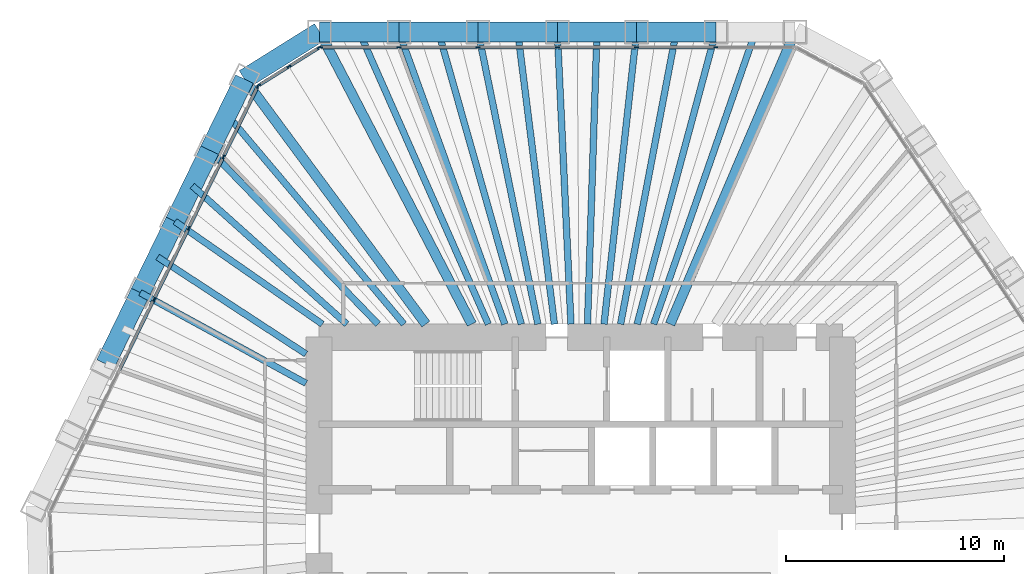
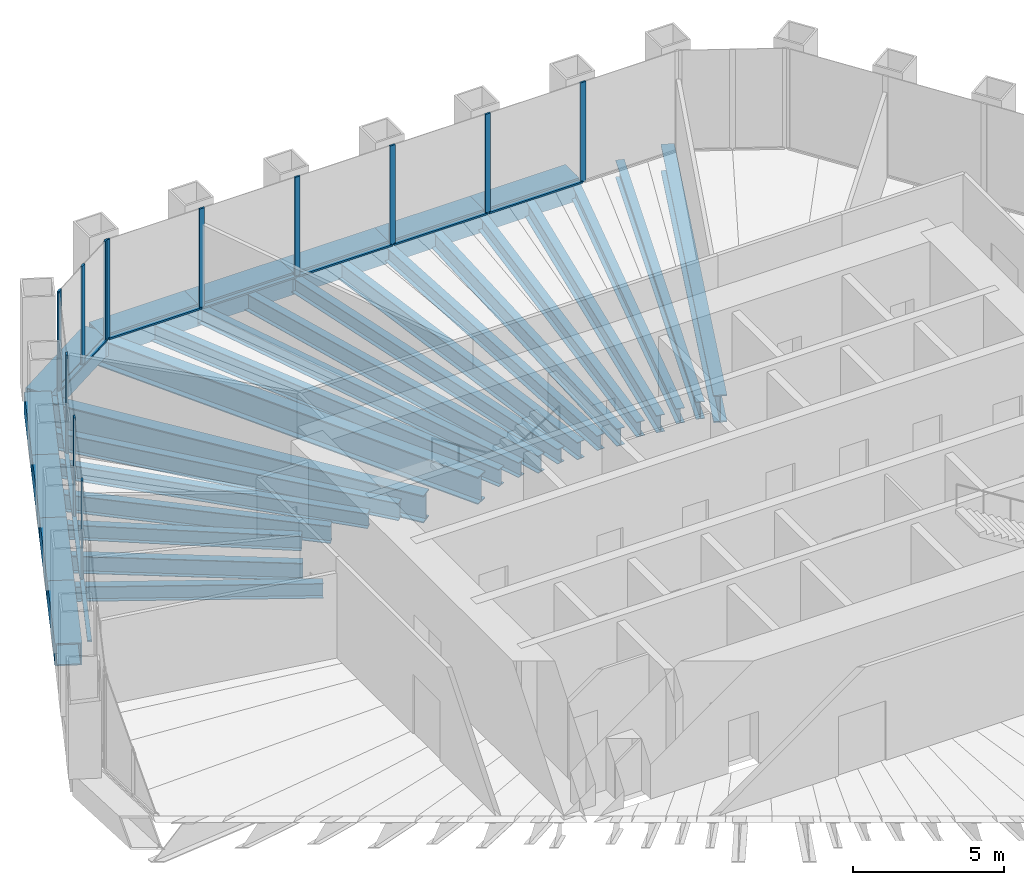
# One storey, part 6 of 13: 30 beams, 24 members, 3 elements without a shape of their own.
"""IFC4 building model written with IfcOpenShell, lengths in metres."""

from ifc_helpers import new_model, si_unit, direction, frame, origin, origin_2d, place, context, subcontext, project, spatial, rectangle, hollow_rectangle, i_section, extrude, material, material_profile, profile_set, type_object, element, aggregate, save


model = new_model("IFC4")

# Units and contexts
model_context = context("Model", 3, precision=1e-05, world=origin(), true_north=direction((0.0, 1.0)))
body_context = subcontext(model_context, "Body", "Model", "MODEL_VIEW")
ifc_project = project(units=[si_unit("LENGTHUNIT", "METRE"), si_unit("AREAUNIT", "SQUARE_METRE"), si_unit("VOLUMEUNIT", "CUBIC_METRE"), si_unit("PLANEANGLEUNIT", "RADIAN"), si_unit("MASSUNIT", "GRAM", prefix="KILO")], contexts=[model_context])

# Site, building, storey
site_placement = place(None, origin())
site = spatial("IfcSite", under=ifc_project, at=site_placement, CompositionType="ELEMENT")
building_placement = place(site_placement, origin())
building = spatial("IfcBuilding", under=site, at=building_placement, Name="Qingtian Harvest Tower", CompositionType="ELEMENT")
storey_placement = place(building_placement, frame((0.0, 0.0, 193.0)))
storey = spatial("IfcBuildingStorey", under=building, at=storey_placement, Name="L41", CompositionType="ELEMENT", Elevation=193.0)

# Beams
ifc_material_1 = material(Name="Steel SM570MC", Category="steel")
ifc_material_profile_1 = material_profile(ifc_material_1, i_section(OverallWidth=0.449951171875, OverallDepth=1.10009765625, WebThickness=0.02197265625, FlangeThickness=0.044921875, at=origin_2d()), Name="H1100x450x22x45")
ifc_profile_set_1 = profile_set([ifc_material_profile_1], Name="Steel SM570MC")
beam_type_1 = type_object("IfcBeamType", Name="Corner floor beam FB8 H1100x450x22x45", PredefinedType="BEAM", material=ifc_profile_set_1)
beam_1_placement = place(storey_placement, frame((-11.971923828125, 23.0, -0.719970703125), z_axis=(0.461712460868, -0.887029651973, 0.0), x_axis=(0.887029651973, 0.461712460868, 0.0)))
element("IfcBeam", 1, at=beam_1_placement, inside=storey, type_object=beam_type_1, Name="Floor beam FB8 N0", PredefinedType="BEAM", context=body_context, shape_type="SweptSolid", body=[
    extrude(i_section(OverallWidth=0.449951171875, OverallDepth=1.10009765625, WebThickness=0.02197265625, FlangeThickness=0.044921875, at=origin_2d()), origin(), (0.0, 0.0, 1.0), 15.1064453125),
])
beam_2_placement = place(storey_placement, frame((9.829345703125, 23.0, -0.719970703125), z_axis=(-0.392976835482, -0.91954837109, 0.0), x_axis=(0.91954837109, -0.392976835482, 0.0)))
element("IfcBeam", 2, at=beam_2_placement, inside=storey, type_object=beam_type_1, Name="Floor beam FB8 N6", PredefinedType="BEAM", context=body_context, shape_type="SweptSolid", body=[
    extrude(i_section(OverallWidth=0.449951171875, OverallDepth=1.10009765625, WebThickness=0.02197265625, FlangeThickness=0.044921875, at=origin_2d()), origin(), (0.0, 0.0, 1.0), 14.572265625),
])
beam_3_placement = place(storey_placement, frame((-15.424072265625, 20.8427734375, -0.719970703125), z_axis=(0.594854284538, -0.803833552526, 0.0), x_axis=(0.803833552526, 0.594854284538, 0.0)))
element("IfcBeam", 3, at=beam_3_placement, inside=storey, type_object=beam_type_1, Name="Floor beam FB8 NW6", PredefinedType="BEAM", context=body_context, shape_type="SweptSolid", body=[
    extrude(i_section(OverallWidth=0.449951171875, OverallDepth=1.10009765625, WebThickness=0.02197265625, FlangeThickness=0.044921875, at=origin_2d()), origin(), (0.0, 0.0, 1.0), 13.986328125),
])
ifc_material_2 = material(Name="Steel SN490B", Category="steel")
ifc_material_profile_2 = material_profile(ifc_material_2, i_section(OverallWidth=0.300048828125, OverallDepth=0.60009765625, WebThickness=0.011962890625, FlangeThickness=0.02001953125, at=origin_2d()), Name="H600x300x12x20")
ifc_profile_set_2 = profile_set([ifc_material_profile_2], Name="Steel SN490B")
beam_type_2 = type_object("IfcBeamType", Name="Floor beam FB3 H600x300x12x20", PredefinedType="BEAM", material=ifc_profile_set_2)
beam_4_placement = place(storey_placement, frame((-8.33837890625, 23.0, -0.469970703125), z_axis=(0.340826952705, -0.94012604916, 0.0), x_axis=(0.94012604916, 0.340826952705, 0.0)))
element("IfcBeam", 4, at=beam_4_placement, inside=storey, type_object=beam_type_2, Name="Floor beam FB3 N1", PredefinedType="BEAM", context=body_context, shape_type="SweptSolid", body=[
    extrude(i_section(OverallWidth=0.300048828125, OverallDepth=0.60009765625, WebThickness=0.011962890625, FlangeThickness=0.02001953125, at=origin_2d()), origin(), (0.0, 0.0, 1.0), 14.25341796875),
])
beam_5_placement = place(storey_placement, frame((-4.704833984375, 23.0, -0.469970703125), z_axis=(0.200401687601, -0.979713817197, 0.0), x_axis=(0.979713817197, 0.200401687601, 0.0)))
element("IfcBeam", 5, at=beam_5_placement, inside=storey, type_object=beam_type_2, Name="Floor beam FB3 N2", PredefinedType="BEAM", context=body_context, shape_type="SweptSolid", body=[
    extrude(i_section(OverallWidth=0.300048828125, OverallDepth=0.60009765625, WebThickness=0.011962890625, FlangeThickness=0.02001953125, at=origin_2d()), origin(), (0.0, 0.0, 1.0), 13.67724609375),
])
beam_6_placement = place(storey_placement, frame((-1.0712890625, 23.0, -0.469970703125), z_axis=(0.04651883736, -0.998917412888, 0.0), x_axis=(0.998917412888, 0.04651883736, 0.0)))
element("IfcBeam", 6, at=beam_6_placement, inside=storey, type_object=beam_type_2, Name="Floor beam FB3 N3", PredefinedType="BEAM", context=body_context, shape_type="SweptSolid", body=[
    extrude(i_section(OverallWidth=0.300048828125, OverallDepth=0.60009765625, WebThickness=0.011962890625, FlangeThickness=0.02001953125, at=origin_2d()), origin(), (0.0, 0.0, 1.0), 13.414306640625),
])
beam_7_placement = place(storey_placement, frame((2.562255859375, 23.0, -0.469970703125), z_axis=(-0.110727645803, -0.993850787822, 0.0), x_axis=(0.993850787822, -0.110727645803, 0.0)))
element("IfcBeam", 7, at=beam_7_placement, inside=storey, type_object=beam_type_2, Name="Floor beam FB3 N4", PredefinedType="BEAM", context=body_context, shape_type="SweptSolid", body=[
    extrude(i_section(OverallWidth=0.300048828125, OverallDepth=0.60009765625, WebThickness=0.011962890625, FlangeThickness=0.02001953125, at=origin_2d()), origin(), (0.0, 0.0, 1.0), 13.48291015625),
])
beam_8_placement = place(storey_placement, frame((6.19580078125, 23.0, -0.469970703125), z_axis=(-0.260121100906, -0.965576000563, 0.0), x_axis=(0.965576000563, -0.260121100906, 0.0)))
element("IfcBeam", 8, at=beam_8_placement, inside=storey, type_object=beam_type_2, Name="Floor beam FB3 N5", PredefinedType="BEAM", context=body_context, shape_type="SweptSolid", body=[
    extrude(i_section(OverallWidth=0.300048828125, OverallDepth=0.60009765625, WebThickness=0.011962890625, FlangeThickness=0.02001953125, at=origin_2d()), origin(), (0.0, 0.0, 1.0), 13.877685546875),
])
beam_9_placement = place(storey_placement, frame((-20.20263671875, 11.04541015625, -0.469970703125), z_axis=(0.87742673539, -0.479710666988, 0.0), x_axis=(0.479710666988, 0.87742673539, 0.0)))
element("IfcBeam", 9, at=beam_9_placement, inside=storey, type_object=beam_type_2, Name="Floor beam FB3 NW3", PredefinedType="BEAM", context=body_context, shape_type="SweptSolid", body=[
    extrude(i_section(OverallWidth=0.300048828125, OverallDepth=0.60009765625, WebThickness=0.011962890625, FlangeThickness=0.02001953125, at=origin_2d()), origin(), (0.0, 0.0, 1.0), 8.66455078125),
])
beam_10_placement = place(storey_placement, frame((-18.60986328125, 14.311279296875, -0.469970703125), z_axis=(0.820407854234, -0.571778762032, 0.0), x_axis=(0.571778762032, 0.820407854234, 0.0)))
element("IfcBeam", 10, at=beam_10_placement, inside=storey, type_object=beam_type_2, Name="Floor beam FB3 NW4", PredefinedType="BEAM", context=body_context, shape_type="SweptSolid", body=[
    extrude(i_section(OverallWidth=0.300048828125, OverallDepth=0.60009765625, WebThickness=0.011962890625, FlangeThickness=0.02001953125, at=origin_2d()), origin(), (0.0, 0.0, 1.0), 8.239501953125),
])
beam_11_placement = place(storey_placement, frame((-17.016845703125, 17.5771484375, -0.469970703125), z_axis=(0.695569024353, -0.718459276759, 0.0), x_axis=(0.718459276759, 0.695569024353, 0.0)))
element("IfcBeam", 11, at=beam_11_placement, inside=storey, type_object=beam_type_2, Name="Floor beam FB3 NW5", PredefinedType="BEAM", context=body_context, shape_type="SweptSolid", body=[
    extrude(i_section(OverallWidth=0.300048828125, OverallDepth=0.60009765625, WebThickness=0.011962890625, FlangeThickness=0.02001953125, at=origin_2d()), origin(), (0.0, 0.0, 1.0), 11.10302734375),
])
ifc_material_3 = material(Name="Steel SN490B", Category="steel")
ifc_material_profile_3 = material_profile(ifc_material_3, i_section(OverallWidth=0.300048828125, OverallDepth=0.699951171875, WebThickness=0.012939453125, FlangeThickness=0.02392578125, at=origin_2d()), Name="H700x300x13x24")
ifc_profile_set_3 = profile_set([ifc_material_profile_3], Name="Steel SN490B")
beam_type_3 = type_object("IfcBeamType", Name="Floor joist J2 H700x300x13x24", PredefinedType="JOIST", material=ifc_profile_set_3)
beam_12_placement = place(storey_placement, frame((-10.1552734375, 23.0, -0.52001953125), z_axis=(0.40391347792, -0.914797191925, 0.0), x_axis=(0.914797191925, 0.40391347792, 0.0)))
element("IfcBeam", 12, at=beam_12_placement, inside=storey, type_object=beam_type_3, Name="Floor joist J2 N0", PredefinedType="JOIST", context=body_context, shape_type="SweptSolid", body=[
    extrude(i_section(OverallWidth=0.300048828125, OverallDepth=0.699951171875, WebThickness=0.012939453125, FlangeThickness=0.02392578125, at=origin_2d()), origin(), (0.0, 0.0, 1.0), 14.64794921875),
])
beam_13_placement = place(storey_placement, frame((-6.521728515625, 23.0, -0.52001953125), z_axis=(0.272796737564, -0.962071691702, 0.0), x_axis=(0.962071691702, 0.272796737564, 0.0)))
element("IfcBeam", 13, at=beam_13_placement, inside=storey, type_object=beam_type_3, Name="Floor joist J2 N1", PredefinedType="JOIST", context=body_context, shape_type="SweptSolid", body=[
    extrude(i_section(OverallWidth=0.300048828125, OverallDepth=0.699951171875, WebThickness=0.012939453125, FlangeThickness=0.02392578125, at=origin_2d()), origin(), (0.0, 0.0, 1.0), 13.92822265625),
])
beam_14_placement = place(storey_placement, frame((-2.88818359375, 23.0, -0.52001953125), z_axis=(0.124590949529, -0.992208191508, 0.0), x_axis=(0.992208191508, 0.124590949529, 0.0)))
element("IfcBeam", 14, at=beam_14_placement, inside=storey, type_object=beam_type_3, Name="Floor joist J2 N2", PredefinedType="JOIST", context=body_context, shape_type="SweptSolid", body=[
    extrude(i_section(OverallWidth=0.300048828125, OverallDepth=0.699951171875, WebThickness=0.012939453125, FlangeThickness=0.02392578125, at=origin_2d()), origin(), (0.0, 0.0, 1.0), 13.505126953125),
])
beam_15_placement = place(storey_placement, frame((0.745361328125, 23.0, -0.52001953125), z_axis=(-0.032395624487, -0.99947512401, 0.0), x_axis=(0.99947512401, -0.032395624487, 0.0)))
element("IfcBeam", 15, at=beam_15_placement, inside=storey, type_object=beam_type_3, Name="Floor joist J2 N3", PredefinedType="JOIST", context=body_context, shape_type="SweptSolid", body=[
    extrude(i_section(OverallWidth=0.300048828125, OverallDepth=0.699951171875, WebThickness=0.012939453125, FlangeThickness=0.02392578125, at=origin_2d()), origin(), (0.0, 0.0, 1.0), 13.406982421875),
])
beam_16_placement = place(storey_placement, frame((4.37890625, 23.0, -0.52001953125), z_axis=(-0.187034797062, -0.982353289142, 0.0), x_axis=(0.982353289142, -0.187034797062, 0.0)))
element("IfcBeam", 16, at=beam_16_placement, inside=storey, type_object=beam_type_3, Name="Floor joist J2 N4", PredefinedType="JOIST", context=body_context, shape_type="SweptSolid", body=[
    extrude(i_section(OverallWidth=0.300048828125, OverallDepth=0.699951171875, WebThickness=0.012939453125, FlangeThickness=0.02392578125, at=origin_2d()), origin(), (0.0, 0.0, 1.0), 13.640625),
])
beam_17_placement = place(storey_placement, frame((8.012451171875, 23.0, -0.52001953125), z_axis=(-0.328969033283, -0.944340709247, 0.0), x_axis=(0.944340709247, -0.328969033283, 0.0)))
element("IfcBeam", 17, at=beam_17_placement, inside=storey, type_object=beam_type_3, Name="Floor joist J2 N5", PredefinedType="JOIST", context=body_context, shape_type="SweptSolid", body=[
    extrude(i_section(OverallWidth=0.300048828125, OverallDepth=0.699951171875, WebThickness=0.012939453125, FlangeThickness=0.02392578125, at=origin_2d()), origin(), (0.0, 0.0, 1.0), 14.189697265625),
])
beam_18_placement = place(storey_placement, frame((-19.40625, 12.678466796875, -0.52001953125), z_axis=(0.837161066611, -0.546956441182, 0.0), x_axis=(0.546956441182, 0.837161066611, 0.0)))
element("IfcBeam", 18, at=beam_18_placement, inside=storey, type_object=beam_type_3, Name="Floor joist J2 NW3", PredefinedType="JOIST", context=body_context, shape_type="SweptSolid", body=[
    extrude(i_section(OverallWidth=0.300048828125, OverallDepth=0.699951171875, WebThickness=0.012939453125, FlangeThickness=0.02392578125, at=origin_2d()), origin(), (0.0, 0.0, 1.0), 8.130126953125),
])
beam_19_placement = place(storey_placement, frame((-17.813232421875, 15.944091796875, -0.52001953125), z_axis=(0.745126517589, -0.66692313859, 0.0), x_axis=(0.66692313859, 0.745126517589, 0.0)))
element("IfcBeam", 19, at=beam_19_placement, inside=storey, type_object=beam_type_3, Name="Floor joist J2 NW4", PredefinedType="JOIST", context=body_context, shape_type="SweptSolid", body=[
    extrude(i_section(OverallWidth=0.300048828125, OverallDepth=0.699951171875, WebThickness=0.012939453125, FlangeThickness=0.02392578125, at=origin_2d()), origin(), (0.0, 0.0, 1.0), 9.512451171875),
])
beam_20_placement = place(storey_placement, frame((-16.220458984375, 19.2099609375, -0.52001953125), z_axis=(0.645157903911, -0.764049264787, 0.0), x_axis=(0.764049264787, 0.645157903911, 0.0)))
element("IfcBeam", 20, at=beam_20_placement, inside=storey, type_object=beam_type_3, Name="Floor joist J2 NW5", PredefinedType="JOIST", context=body_context, shape_type="SweptSolid", body=[
    extrude(i_section(OverallWidth=0.300048828125, OverallDepth=0.699951171875, WebThickness=0.012939453125, FlangeThickness=0.02392578125, at=origin_2d()), origin(), (0.0, 0.0, 1.0), 12.57763671875),
])

# Curtain wall, members
ifc_material_4 = material(Name="Bronze-anodised aluminium curtain wall", Category="aluminium")
curtain_wall_type = type_object("IfcCurtainWallType", Name="Curtain wall CW4 office", PredefinedType="USERDEFINED", material=ifc_material_4)
curtain_wall_1_placement = place(storey_placement, origin())
curtain_wall_1 = element("IfcCurtainWall", 21, at=curtain_wall_1_placement, inside=storey, type_object=curtain_wall_type, Name="Curtain wall CW4 L41 N0-5", ObjectType="RECESSED CURTAIN WALL", PredefinedType="USERDEFINED")
ifc_material_5 = material(Name="Bronze-anodised aluminium mullion", Category="aluminium")
ifc_material_profile_4 = material_profile(ifc_material_5, rectangle(XDim=0.06494140625, YDim=0.199951171875, at=origin_2d()), Name="AL 65x200")
ifc_profile_set_4 = profile_set([ifc_material_profile_4], Name="Bronze-anodised aluminium mullion")
member_type_1 = type_object("IfcMemberType", Name="Mullion CWM 65x200", PredefinedType="MULLION", material=ifc_profile_set_4)
member_1_placement = place(storey_placement, frame((-11.939453125, 22.300048828125, 0.0), z_axis=(0.0, 0.0, 1.0), x_axis=(0.0, 1.0, 0.0)))
member_1 = element("IfcMember", 22, at=member_1_placement, type_object=member_type_1, Name="CW4 mullion 1", PredefinedType="MULLION", context=body_context, shape_type="SweptSolid", body=[
    extrude(rectangle(XDim=0.06494140625, YDim=0.199951171875, at=origin_2d()), origin(), (0.0, 0.0, 1.0), 4.030029296875),
])
member_2_placement = place(storey_placement, frame((-8.33837890625, 22.300048828125, 0.0), z_axis=(0.0, 0.0, 1.0), x_axis=(0.0, 1.0, 0.0)))
member_2 = element("IfcMember", 23, at=member_2_placement, type_object=member_type_1, Name="CW4 mullion 2", PredefinedType="MULLION", context=body_context, shape_type="SweptSolid", body=[
    extrude(rectangle(XDim=0.06494140625, YDim=0.199951171875, at=origin_2d()), origin(), (0.0, 0.0, 1.0), 4.030029296875),
])
member_3_placement = place(storey_placement, frame((-4.704833984375, 22.300048828125, 0.0), z_axis=(0.0, 0.0, 1.0), x_axis=(0.0, 1.0, 0.0)))
member_3 = element("IfcMember", 24, at=member_3_placement, type_object=member_type_1, Name="CW4 mullion 3", PredefinedType="MULLION", context=body_context, shape_type="SweptSolid", body=[
    extrude(rectangle(XDim=0.06494140625, YDim=0.199951171875, at=origin_2d()), origin(), (0.0, 0.0, 1.0), 4.030029296875),
])
member_4_placement = place(storey_placement, frame((-1.0712890625, 22.300048828125, 0.0), z_axis=(0.0, 0.0, 1.0), x_axis=(0.0, 1.0, 0.0)))
member_4 = element("IfcMember", 25, at=member_4_placement, type_object=member_type_1, Name="CW4 mullion 4", PredefinedType="MULLION", context=body_context, shape_type="SweptSolid", body=[
    extrude(rectangle(XDim=0.06494140625, YDim=0.199951171875, at=origin_2d()), origin(), (0.0, 0.0, 1.0), 4.030029296875),
])
member_5_placement = place(storey_placement, frame((2.562255859375, 22.300048828125, 0.0), z_axis=(0.0, 0.0, 1.0), x_axis=(0.0, 1.0, 0.0)))
member_5 = element("IfcMember", 26, at=member_5_placement, type_object=member_type_1, Name="CW4 mullion 5", PredefinedType="MULLION", context=body_context, shape_type="SweptSolid", body=[
    extrude(rectangle(XDim=0.06494140625, YDim=0.199951171875, at=origin_2d()), origin(), (0.0, 0.0, 1.0), 4.030029296875),
])
member_6_placement = place(storey_placement, frame((6.19580078125, 22.300048828125, 0.0), z_axis=(0.0, 0.0, 1.0), x_axis=(0.0, 1.0, 0.0)))
member_6 = element("IfcMember", 27, at=member_6_placement, type_object=member_type_1, Name="CW4 mullion 6", PredefinedType="MULLION", context=body_context, shape_type="SweptSolid", body=[
    extrude(rectangle(XDim=0.06494140625, YDim=0.199951171875, at=origin_2d()), origin(), (0.0, 0.0, 1.0), 4.030029296875),
])

curtain_wall_2_placement = place(storey_placement, origin())
curtain_wall_2 = element("IfcCurtainWall", 28, at=curtain_wall_2_placement, inside=storey, type_object=curtain_wall_type, Name="Curtain wall CW4 L41 NW0-5", ObjectType="RECESSED CURTAIN WALL", PredefinedType="USERDEFINED")
member_7_placement = place(storey_placement, frame((-19.573486328125, 10.738525390625, 0.0), z_axis=(0.0, 0.0, 1.0), x_axis=(-0.898794046299, 0.438371146789, 0.0)))
member_7 = element("IfcMember", 29, at=member_7_placement, type_object=member_type_1, Name="CW4 mullion 4", PredefinedType="MULLION", context=body_context, shape_type="SweptSolid", body=[
    extrude(rectangle(XDim=0.06494140625, YDim=0.199951171875, at=origin_2d()), origin(), (0.0, 0.0, 1.0), 4.030029296875),
])
member_8_placement = place(storey_placement, frame((-17.980712890625, 14.00439453125, 0.0), z_axis=(0.0, 0.0, 1.0), x_axis=(-0.898794046299, 0.438371146789, 0.0)))
member_8 = element("IfcMember", 30, at=member_8_placement, type_object=member_type_1, Name="CW4 mullion 5", PredefinedType="MULLION", context=body_context, shape_type="SweptSolid", body=[
    extrude(rectangle(XDim=0.06494140625, YDim=0.199951171875, at=origin_2d()), origin(), (0.0, 0.0, 1.0), 4.030029296875),
])
member_9_placement = place(storey_placement, frame((-16.3876953125, 17.270263671875, 0.0), z_axis=(0.0, 0.0, 1.0), x_axis=(-0.898794046299, 0.438371146789, 0.0)))
member_9 = element("IfcMember", 31, at=member_9_placement, type_object=member_type_1, Name="CW4 mullion 6", PredefinedType="MULLION", context=body_context, shape_type="SweptSolid", body=[
    extrude(rectangle(XDim=0.06494140625, YDim=0.199951171875, at=origin_2d()), origin(), (0.0, 0.0, 1.0), 4.030029296875),
])
member_10_placement = place(storey_placement, frame((-14.80908203125, 20.5068359375, 0.0), z_axis=(0.0, 0.0, 1.0), x_axis=(-0.898794046299, 0.438371146789, 0.0)))
member_10 = element("IfcMember", 32, at=member_10_placement, type_object=member_type_1, Name="CW4 mullion 7", PredefinedType="MULLION", context=body_context, shape_type="SweptSolid", body=[
    extrude(rectangle(XDim=0.06494140625, YDim=0.199951171875, at=origin_2d()), origin(), (0.0, 0.0, 1.0), 4.030029296875),
])

curtain_wall_3_placement = place(storey_placement, origin())
curtain_wall_3 = element("IfcCurtainWall", 33, at=curtain_wall_3_placement, inside=storey, type_object=curtain_wall_type, Name="Curtain wall CW4 L41 NWC", ObjectType="RECESSED CURTAIN WALL", PredefinedType="USERDEFINED")
member_11_placement = place(storey_placement, frame((-14.767333984375, 20.55322265625, 0.0), z_axis=(0.0, 0.0, 1.0), x_axis=(-0.529919264233, 0.848048096156, 0.0)))
member_11 = element("IfcMember", 34, at=member_11_placement, type_object=member_type_1, Name="CW4 mullion 1", PredefinedType="MULLION", context=body_context, shape_type="SweptSolid", body=[
    extrude(rectangle(XDim=0.06494140625, YDim=0.199951171875, at=origin_2d()), origin(), (0.0, 0.0, 1.0), 4.030029296875),
])
member_12_placement = place(storey_placement, frame((-13.383544921875, 21.41796875, 0.0), z_axis=(0.0, 0.0, 1.0), x_axis=(-0.529919264233, 0.848048096156, 0.0)))
member_12 = element("IfcMember", 35, at=member_12_placement, type_object=member_type_1, Name="CW4 mullion 2", PredefinedType="MULLION", context=body_context, shape_type="SweptSolid", body=[
    extrude(rectangle(XDim=0.06494140625, YDim=0.199951171875, at=origin_2d()), origin(), (0.0, 0.0, 1.0), 4.030029296875),
])
member_13_placement = place(storey_placement, frame((-11.99951171875, 22.28271484375, 0.0), z_axis=(0.0, 0.0, 1.0), x_axis=(-0.529919264233, 0.848048096156, 0.0)))
member_13 = element("IfcMember", 36, at=member_13_placement, type_object=member_type_1, Name="CW4 mullion 3", PredefinedType="MULLION", context=body_context, shape_type="SweptSolid", body=[
    extrude(rectangle(XDim=0.06494140625, YDim=0.199951171875, at=origin_2d()), origin(), (0.0, 0.0, 1.0), 4.030029296875),
])

# Beams
ifc_material_6 = material(Name="Steel SM570MC", Category="steel")
ifc_material_profile_5 = material_profile(ifc_material_6, hollow_rectangle(XDim=0.89990234375, YDim=0.89990234375, WallThickness=0.050048828125, at=origin_2d()), Name="BOX900x900x50")
ifc_profile_set_5 = profile_set([ifc_material_profile_5], Name="Steel SM570MC")
beam_type_4 = type_object("IfcBeamType", Name="Transition spandrel SB6 BOX900x900x50", PredefinedType="SPANDREL", material=ifc_profile_set_5)
for number, where, z_axis, x_axis, name in (
    (37, (-11.971923828125, 23.0, -0.449951171875), (1.0, 0.0, 0.0), (0.0, 1.0, 0.0), "Spandrel SB6 N0"),
    (38, (-8.33837890625, 23.0, -0.449951171875), (1.0, 0.0, 0.0), (0.0, 1.0, 0.0), "Spandrel SB6 N1"),
    (39, (-4.704833984375, 23.0, -0.449951171875), (1.0, 0.0, 0.0), (0.0, 1.0, 0.0), "Spandrel SB6 N2"),
    (40, (-1.0712890625, 23.0, -0.449951171875), (1.0, 0.0, 0.0), (0.0, 1.0, 0.0), "Spandrel SB6 N3"),
    (41, (2.562255859375, 23.0, -0.449951171875), (1.0, 0.0, 0.0), (0.0, 1.0, 0.0), "Spandrel SB6 N4"),
    (42, (-21.79541015625, 7.779541015625, -0.449951171875), (0.438349498419, 0.898804604592, 0.0), (-0.898804604592, 0.438349498419, 0.0), "Spandrel SB6 NW2"),
    (43, (-20.20263671875, 11.04541015625, -0.449951171875), (0.438349498419, 0.898804604592, 0.0), (-0.898804604592, 0.438349498419, 0.0), "Spandrel SB6 NW3"),
):
    element("IfcBeam", number, at=place(storey_placement, frame(where, z_axis=z_axis, x_axis=x_axis)), inside=storey, type_object=beam_type_4, Name=name, PredefinedType="SPANDREL", context=body_context, shape_type="SweptSolid", body=[
        extrude(hollow_rectangle(XDim=0.89990234375, YDim=0.89990234375, WallThickness=0.050048828125, at=origin_2d()), origin(), (0.0, 0.0, 1.0), 3.633544921875),
    ])
beam_21_placement = place(storey_placement, frame((-18.60986328125, 14.311279296875, -0.449951171875), z_axis=(0.438403775684, 0.898778131391, 0.0), x_axis=(-0.898778131391, 0.438403775684, 0.0)))
element("IfcBeam", 44, at=beam_21_placement, inside=storey, type_object=beam_type_4, Name="Spandrel SB6 NW4", PredefinedType="SPANDREL", context=body_context, shape_type="SweptSolid", body=[
    extrude(hollow_rectangle(XDim=0.89990234375, YDim=0.89990234375, WallThickness=0.050048828125, at=origin_2d()), origin(), (0.0, 0.0, 1.0), 3.6337890625),
])
beam_22_placement = place(storey_placement, frame((-17.016845703125, 17.5771484375, -0.449951171875), z_axis=(0.43837597217, 0.898791692788, 0.0), x_axis=(-0.898791692788, 0.43837597217, 0.0)))
element("IfcBeam", 45, at=beam_22_placement, inside=storey, type_object=beam_type_4, Name="Spandrel SB6 NW5", PredefinedType="SPANDREL", context=body_context, shape_type="SweptSolid", body=[
    extrude(hollow_rectangle(XDim=0.89990234375, YDim=0.89990234375, WallThickness=0.050048828125, at=origin_2d()), origin(), (0.0, 0.0, 1.0), 3.63330078125),
])
beam_23_placement = place(storey_placement, frame((-15.424072265625, 20.8427734375, -0.449951171875), z_axis=(0.848038733752, 0.529934246919, 0.0), x_axis=(-0.529934246919, 0.848038733752, 0.0)))
element("IfcBeam", 46, at=beam_23_placement, inside=storey, type_object=beam_type_4, Name="Spandrel SB6 NWC", PredefinedType="SPANDREL", context=body_context, shape_type="SweptSolid", body=[
    extrude(hollow_rectangle(XDim=0.89990234375, YDim=0.89990234375, WallThickness=0.050048828125, at=origin_2d()), origin(), (0.0, 0.0, 1.0), 4.07080078125),
])

# Member
ifc_material_7 = material(Name="Bronze-anodised aluminium transom", Category="aluminium")
ifc_material_profile_6 = material_profile(ifc_material_7, rectangle(XDim=0.14990234375, YDim=0.06494140625, at=origin_2d()), Name="AL 65x150")
ifc_profile_set_6 = profile_set([ifc_material_profile_6], Name="Bronze-anodised aluminium transom")
member_type_2 = type_object("IfcMemberType", Name="Transom CWT 65x150", PredefinedType="USERDEFINED", material=ifc_profile_set_6)
member_14_placement = place(storey_placement, frame((-11.906982421875, 22.300048828125, 0.032470703125), z_axis=(1.0, 0.0, 0.0), x_axis=(0.0, 1.0, 0.0)))
member_14 = element("IfcMember", 47, at=member_14_placement, type_object=member_type_2, Name="CW4 transom 1.1", ObjectType="TRANSOM", PredefinedType="USERDEFINED", context=body_context, shape_type="SweptSolid", body=[
    extrude(rectangle(XDim=0.14990234375, YDim=0.06494140625, at=origin_2d()), origin(), (0.0, 0.0, 1.0), 3.5361328125),
])

member_15_placement = place(storey_placement, frame((-8.305908203125, 22.300048828125, 0.032470703125), z_axis=(1.0, 0.0, 0.0), x_axis=(0.0, 1.0, 0.0)))
member_15 = element("IfcMember", 48, at=member_15_placement, type_object=member_type_2, Name="CW4 transom 2.1", ObjectType="TRANSOM", PredefinedType="USERDEFINED", context=body_context, shape_type="SweptSolid", body=[
    extrude(rectangle(XDim=0.14990234375, YDim=0.06494140625, at=origin_2d()), origin(), (0.0, 0.0, 1.0), 3.568603515625),
])

member_16_placement = place(storey_placement, frame((-4.67236328125, 22.300048828125, 0.032470703125), z_axis=(1.0, 0.0, 0.0), x_axis=(0.0, 1.0, 0.0)))
member_16 = element("IfcMember", 49, at=member_16_placement, type_object=member_type_2, Name="CW4 transom 3.1", ObjectType="TRANSOM", PredefinedType="USERDEFINED", context=body_context, shape_type="SweptSolid", body=[
    extrude(rectangle(XDim=0.14990234375, YDim=0.06494140625, at=origin_2d()), origin(), (0.0, 0.0, 1.0), 3.568603515625),
])

member_17_placement = place(storey_placement, frame((-1.038818359375, 22.300048828125, 0.032470703125), z_axis=(1.0, 0.0, 0.0), x_axis=(0.0, 1.0, 0.0)))
member_17 = element("IfcMember", 50, at=member_17_placement, type_object=member_type_2, Name="CW4 transom 4.1", ObjectType="TRANSOM", PredefinedType="USERDEFINED", context=body_context, shape_type="SweptSolid", body=[
    extrude(rectangle(XDim=0.14990234375, YDim=0.06494140625, at=origin_2d()), origin(), (0.0, 0.0, 1.0), 3.568603515625),
])

member_18_placement = place(storey_placement, frame((2.5947265625, 22.300048828125, 0.032470703125), z_axis=(1.0, 0.0, 0.0), x_axis=(0.0, 1.0, 0.0)))
member_18 = element("IfcMember", 51, at=member_18_placement, type_object=member_type_2, Name="CW4 transom 5.1", ObjectType="TRANSOM", PredefinedType="USERDEFINED", context=body_context, shape_type="SweptSolid", body=[
    extrude(rectangle(XDim=0.14990234375, YDim=0.06494140625, at=origin_2d()), origin(), (0.0, 0.0, 1.0), 3.568603515625),
])

aggregate(curtain_wall_1, [member_1, member_2, member_3, member_4, member_5, member_6, member_14, member_15, member_16, member_17, member_18])

member_19_placement = place(storey_placement, frame((-21.152099609375, 7.501953125, 0.032470703125), z_axis=(0.438380500422, 0.898789484167, 0.0), x_axis=(-0.898789484167, 0.438380500422, 0.0)))
member_19 = element("IfcMember", 52, at=member_19_placement, type_object=member_type_2, Name="CW4 transom 3.1", ObjectType="TRANSOM", PredefinedType="USERDEFINED", context=body_context, shape_type="SweptSolid", body=[
    extrude(rectangle(XDim=0.14990234375, YDim=0.06494140625, at=origin_2d()), origin(), (0.0, 0.0, 1.0), 3.568603515625),
])

member_20_placement = place(storey_placement, frame((-19.559326171875, 10.767822265625, 0.032470703125), z_axis=(0.438407456795, 0.898776335818, 0.0), x_axis=(-0.898776335818, 0.438407456795, 0.0)))
member_20 = element("IfcMember", 53, at=member_20_placement, type_object=member_type_2, Name="CW4 transom 4.1", ObjectType="TRANSOM", PredefinedType="USERDEFINED", context=body_context, shape_type="SweptSolid", body=[
    extrude(rectangle(XDim=0.14990234375, YDim=0.06494140625, at=origin_2d()), origin(), (0.0, 0.0, 1.0), 3.568603515625),
])

member_21_placement = place(storey_placement, frame((-17.96630859375, 14.03369140625, 0.032470703125), z_axis=(0.438352188226, 0.898803292761, 0.0), x_axis=(-0.898803292761, 0.438352188226, 0.0)))
member_21 = element("IfcMember", 54, at=member_21_placement, type_object=member_type_2, Name="CW4 transom 5.1", ObjectType="TRANSOM", PredefinedType="USERDEFINED", context=body_context, shape_type="SweptSolid", body=[
    extrude(rectangle(XDim=0.14990234375, YDim=0.06494140625, at=origin_2d()), origin(), (0.0, 0.0, 1.0), 3.568359375),
])

member_22_placement = place(storey_placement, frame((-16.37353515625, 17.29931640625, 0.032470703125), z_axis=(0.438354255898, 0.898802284341, 0.0), x_axis=(-0.898802284341, 0.438354255898, 0.0)))
member_22 = element("IfcMember", 55, at=member_22_placement, type_object=member_type_2, Name="CW4 transom 6.1", ObjectType="TRANSOM", PredefinedType="USERDEFINED", context=body_context, shape_type="SweptSolid", body=[
    extrude(rectangle(XDim=0.14990234375, YDim=0.06494140625, at=origin_2d()), origin(), (0.0, 0.0, 1.0), 3.5361328125),
])

aggregate(curtain_wall_2, [member_7, member_8, member_9, member_10, member_19, member_20, member_21, member_22])

member_23_placement = place(storey_placement, frame((-14.73974609375, 20.570556640625, 0.032470703125), z_axis=(0.848015812303, 0.529970925697, 0.0), x_axis=(-0.529970925697, 0.848015812303, 0.0)))
member_23 = element("IfcMember", 56, at=member_23_placement, type_object=member_type_2, Name="CW4 transom 1.1", ObjectType="TRANSOM", PredefinedType="USERDEFINED", context=body_context, shape_type="SweptSolid", body=[
    extrude(rectangle(XDim=0.14990234375, YDim=0.06494140625, at=origin_2d()), origin(), (0.0, 0.0, 1.0), 1.566650390625),
])

member_24_placement = place(storey_placement, frame((-13.35595703125, 21.435302734375, 0.032470703125), z_axis=(0.848059570903, 0.529900900357, 0.0), x_axis=(-0.529900900357, 0.848059570903, 0.0)))
member_24 = element("IfcMember", 57, at=member_24_placement, type_object=member_type_2, Name="CW4 transom 2.1", ObjectType="TRANSOM", PredefinedType="USERDEFINED", context=body_context, shape_type="SweptSolid", body=[
    extrude(rectangle(XDim=0.14990234375, YDim=0.06494140625, at=origin_2d()), origin(), (0.0, 0.0, 1.0), 1.56689453125),
])

aggregate(curtain_wall_3, [member_11, member_12, member_13, member_23, member_24])

save(model, "model.ifc")
